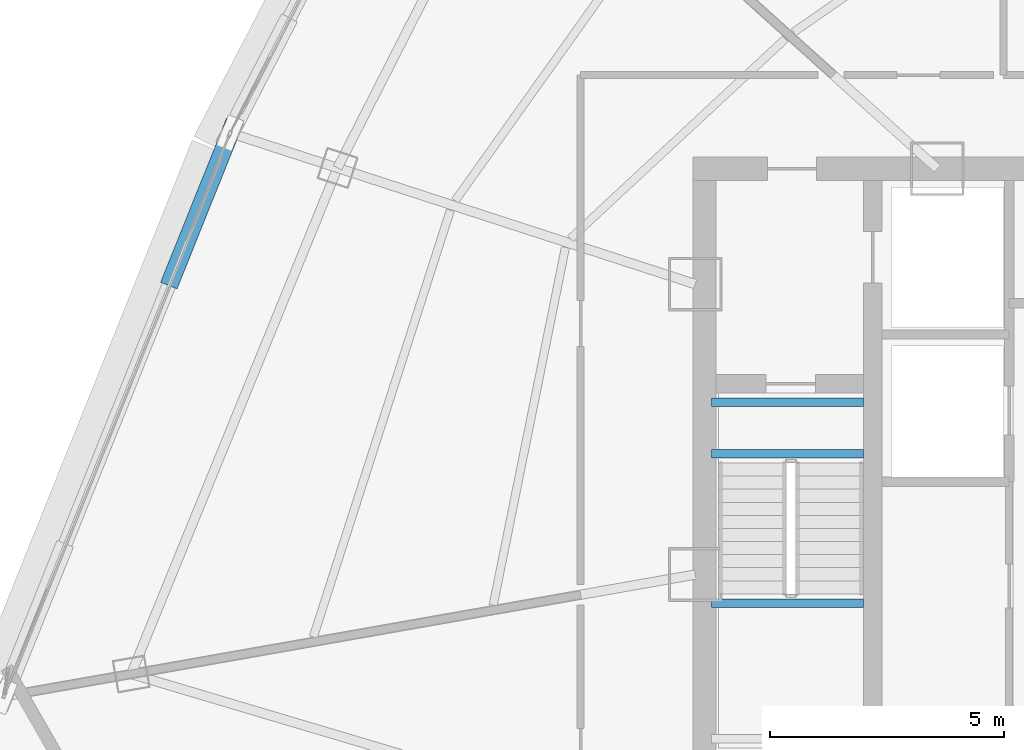
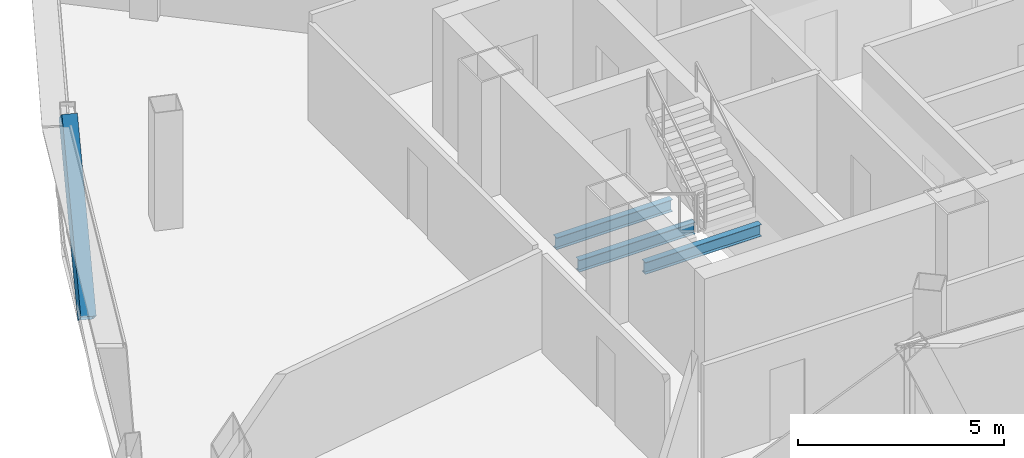
# One storey, part 6 of 30: 3 beams, 1 member.
"""IFC4 building model written with IfcOpenShell, lengths in metres."""

from ifc_helpers import new_model, si_unit, direction, frame, origin, origin_2d, place, context, subcontext, project, spatial, hollow_rectangle, i_section, extrude, source, transform, mapped, material, material_profile, profile_set, type_object, element, save


model = new_model("IFC4")

# Units and contexts
model_context = context("Model", 3, precision=1e-05, world=origin(), true_north=direction((0.0, 1.0)))
body_context = subcontext(model_context, "Body", "Model", "MODEL_VIEW")
ifc_project = project(units=[si_unit("LENGTHUNIT", "METRE"), si_unit("AREAUNIT", "SQUARE_METRE"), si_unit("VOLUMEUNIT", "CUBIC_METRE"), si_unit("PLANEANGLEUNIT", "RADIAN"), si_unit("MASSUNIT", "GRAM", prefix="KILO"), si_unit("THERMODYNAMICTEMPERATUREUNIT", "KELVIN"), si_unit("POWERUNIT", "WATT")], contexts=[model_context])

# Site, building, storey
site_placement = place(None, origin())
site = spatial("IfcSite", under=ifc_project, at=site_placement, CompositionType="ELEMENT")
building_placement = place(site_placement, origin())
building = spatial("IfcBuilding", under=site, at=building_placement, Name="Yunzhuo Pagoda Commons", CompositionType="ELEMENT")
storey_placement = place(building_placement, frame((0.0, 0.0, 348.010009765625)))
storey = spatial("IfcBuildingStorey", under=building, at=storey_placement, Name="L87", CompositionType="ELEMENT", Elevation=348.010009765625)

# Beams
ifc_material = material(Name="Structural steel Q355B", Category="steel")
ifc_material_profile_1 = material_profile(ifc_material, i_section(OverallWidth=0.175048828125, OverallDepth=0.35009765625, WebThickness=0.007080078125, FlangeThickness=0.010986328125, at=origin_2d()), Name="Structural steel Q355B")
ifc_profile_set_1 = profile_set([ifc_material_profile_1], Name="Structural steel Q355B")
beam_type = type_object("IfcBeamType", Name="B-JS2 Joist HN 350x175x7x11", PredefinedType="JOIST", material=ifc_profile_set_1)
shared_shape_1 = source(origin(), body_context, "Body", "SweptSolid", [
    extrude(i_section(OverallWidth=0.175048828125, OverallDepth=0.35009765625, WebThickness=0.007080078125, FlangeThickness=0.010986328125, at=origin_2d()), origin(), (0.0, 0.0, 1.0), 3.25),
])
for number, where, z_axis, x_axis, name in (
    (1, (35.949951171875, 30.89990234375, 1.5), (1.0, 0.0, 0.0), (0.0, 1.0, 0.0), "L87 ST1 landing support beam 93B"),
    (2, (35.949951171875, 34.10009765625, -0.375), (1.0, 0.0, 0.0), (0.0, 1.0, 0.0), "L87 ST1 landing support beam 191A"),
    (3, (35.949951171875, 35.199951171875, -0.375), (1.0, 0.0, 0.0), (0.0, 1.0, 0.0), "L87 ST1 landing support beam 191B"),
):
    element("IfcBeam", number, at=place(storey_placement, frame(where, z_axis=z_axis, x_axis=x_axis)), inside=storey, type_object=beam_type, Name=name, PredefinedType="JOIST", context=body_context, shape_type="MappedRepresentation", body=[
        mapped(shared_shape_1, transform((0.0, 0.0, 0.0), scale=1.0)),
    ])

# Member
ifc_material_profile_2 = material_profile(ifc_material, hollow_rectangle(XDim=0.3798828125, YDim=0.719970703125, WallThickness=0.02001953125, at=origin_2d()), Name="Structural steel Q355B")
ifc_profile_set_2 = profile_set([ifc_material_profile_2], Name="Structural steel Q355B")
member_type = type_object("IfcMemberType", Name="M-DL3 Brace BOX 720x380x20", PredefinedType="BRACE", material=ifc_profile_set_2)
shared_shape_2 = source(origin(), body_context, "Body", "SweptSolid", [
    extrude(hollow_rectangle(XDim=0.3798828125, YDim=0.719970703125, WallThickness=0.02001953125, at=origin_2d()), origin(), (0.0, 0.0, 1.0), 4.9609375),
])
member_placement = place(storey_placement, frame((24.436279296875, 37.948974609375, -0.260009765625), z_axis=(0.243893842105, 0.60756928463, 0.755893747928), x_axis=(-0.928019800573, 0.37253087086, 0.0)))
element("IfcMember", 4, at=member_placement, inside=storey, type_object=member_type, Name="L87 facade diamond brace F3.3L", PredefinedType="BRACE", context=body_context, shape_type="MappedRepresentation", body=[
    mapped(shared_shape_2, transform((0.0, 0.0, 0.0), scale=1.0)),
])

save(model, "model.ifc")
